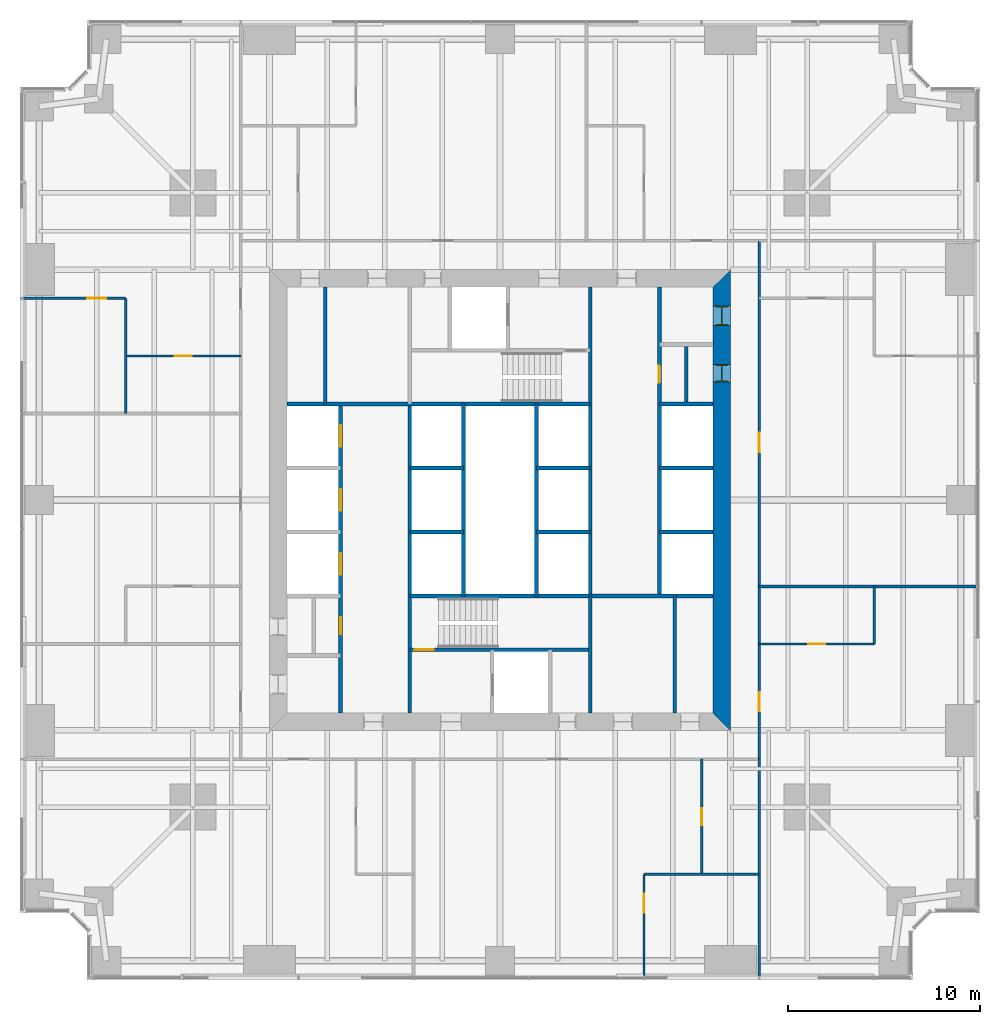
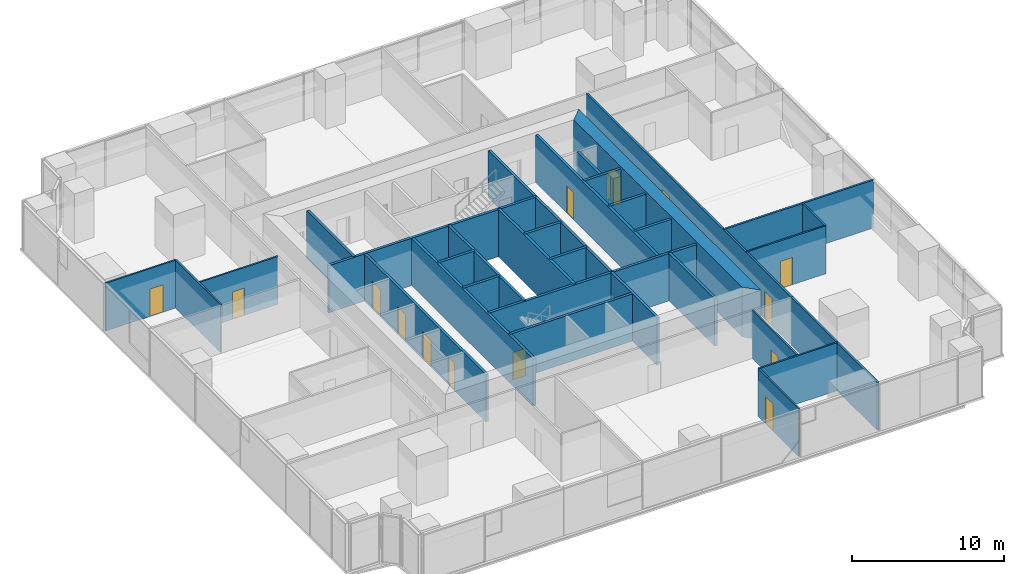
# One storey, part 10 of 15: 32 walls, 15 doors, 15 openings.
"""IFC4 building model written with IfcOpenShell, lengths in metres."""

from ifc_helpers import new_model, si_unit, direction, frame, frame_2d, origin, place, context, subcontext, project, spatial, polyline, rectangle, outline, extrude, material, layer, layer_set, type_object, element, fill, save


model = new_model("IFC4")

# Units and contexts
model_context = context("Model", 3, precision=1e-05, world=origin(), true_north=direction((0.0, 1.0)))
body_context = subcontext(model_context, "Body", "Model", "MODEL_VIEW")
ifc_project = project(units=[si_unit("LENGTHUNIT", "METRE"), si_unit("AREAUNIT", "SQUARE_METRE"), si_unit("VOLUMEUNIT", "CUBIC_METRE"), si_unit("PLANEANGLEUNIT", "RADIAN"), si_unit("MASSUNIT", "GRAM", prefix="KILO")], contexts=[model_context])

# Site, building, storey
site_placement = place(None, origin())
site = spatial("IfcSite", under=ifc_project, at=site_placement, CompositionType="ELEMENT")
building_placement = place(site_placement, origin())
building = spatial("IfcBuilding", under=site, at=building_placement, Name="Fenwick Lantern Interchange", CompositionType="ELEMENT")
storey_placement = place(building_placement, frame((0.0, 0.0, 51.0)))
storey = spatial("IfcBuildingStorey", under=building, at=storey_placement, Name="L11", CompositionType="ELEMENT", Elevation=51.0)

# Wall, openings, doors
ifc_material_1 = material(Name="Concrete masonry ASTM C90 Grade N", Category="masonry")
ifc_layer_1 = layer(ifc_material_1, 0.199951171875)
ifc_layer_set_1 = layer_set([ifc_layer_1], Name="Concrete masonry ASTM C90 Grade N")
wall_type_1 = type_object("IfcWallType", Name="CORE PARTITION 200", PredefinedType="PARTITIONING", material=ifc_layer_set_1)
wall_1_placement = place(storey_placement, frame((16.699951171875, 13.89990234375, 0.0), z_axis=(0.0, 0.0, 1.0), x_axis=(0.0, 1.0, 0.0)))
wall_1 = element("IfcWall", 1, at=wall_1_placement, inside=storey, type_object=wall_type_1, Name="L11/W/CORES/a", PredefinedType="PARTITIONING", context=body_context, shape_type="SweptSolid", body=[
    extrude(rectangle(XDim=16.10009765625, YDim=0.199951171875, at=frame_2d((8.050048828125, 0.0))), origin(), (0.0, 0.0, 1.0), 3.800048828125),
])
opening_1_placement = place(wall_1_placement, frame((4.10009765625, 0.0, 0.0)))
opening_1 = element("IfcOpeningElement", 2, at=opening_1_placement, cuts=wall_1, Name="Opening L11-D008", PredefinedType="OPENING", context=body_context, shape_type="SweptSolid", body=[
    extrude(rectangle(XDim=0.89990234375, YDim=2.199951171875, at=frame_2d((0.449951171875, 1.10009765625))), frame((0.0, 0.10986328125, 0.0), z_axis=(0.0, -1.0, 0.0), x_axis=(1.0, 0.0, 0.0)), (0.0, 0.0, 1.0), 0.219970703125),
])
opening_2_placement = place(wall_1_placement, frame((7.216552734375, 0.0, 0.0)))
opening_2 = element("IfcOpeningElement", 3, at=opening_2_placement, cuts=wall_1, Name="Opening LD-W1-1", PredefinedType="OPENING", context=body_context, shape_type="SweptSolid", body=[
    extrude(rectangle(XDim=1.10009765625, YDim=2.199951171875, at=frame_2d((0.550048828125, 1.10009765625))), frame((0.0, 0.10986328125, 0.0), z_axis=(0.0, -1.0, 0.0), x_axis=(1.0, 0.0, 0.0)), (0.0, 0.0, 1.0), 0.219970703125),
])
opening_3_placement = place(wall_1_placement, frame((10.550048828125, 0.0, 0.0)))
opening_3 = element("IfcOpeningElement", 4, at=opening_3_placement, cuts=wall_1, Name="Opening LD-W1-2", PredefinedType="OPENING", context=body_context, shape_type="SweptSolid", body=[
    extrude(rectangle(XDim=1.10009765625, YDim=2.199951171875, at=frame_2d((0.550048828125, 1.10009765625))), frame((0.0, 0.10986328125, 0.0), z_axis=(0.0, -1.0, 0.0), x_axis=(1.0, 0.0, 0.0)), (0.0, 0.0, 1.0), 0.219970703125),
])
opening_4_placement = place(wall_1_placement, frame((13.88330078125, 0.0, 0.0)))
opening_4 = element("IfcOpeningElement", 5, at=opening_4_placement, cuts=wall_1, Name="Opening LD-W1-3", PredefinedType="OPENING", context=body_context, shape_type="SweptSolid", body=[
    extrude(rectangle(XDim=1.10009765625, YDim=2.199951171875, at=frame_2d((0.550048828125, 1.10009765625))), frame((0.0, 0.10986328125, 0.0), z_axis=(0.0, -1.0, 0.0), x_axis=(1.0, 0.0, 0.0)), (0.0, 0.0, 1.0), 0.219970703125),
])
ifc_material_2 = material(Name="Steel door and frame", Category="steel")
door_type_1 = type_object("IfcDoorType", Name="LIFT LANDING DOOR 1100 X 2200", OperationType="DOUBLE_DOOR_SLIDING", PredefinedType="DOOR", material=ifc_material_2)
door_1_placement = place(opening_2_placement, origin())
door_1 = element("IfcDoor", 6, at=door_1_placement, inside=storey, type_object=door_type_1, Name="Lift landing door W1-1", OperationType="DOUBLE_DOOR_SLIDING", OverallHeight=2.199951171875, OverallWidth=1.10009765625, PredefinedType="DOOR", context=body_context, shape_type="SweptSolid", body=[
    extrude(rectangle(XDim=1.10009765625, YDim=2.199951171875, at=frame_2d((0.550048828125, 1.10009765625))), frame((0.0, 0.02490234375, 0.0), z_axis=(0.0, -1.0, 0.0), x_axis=(1.0, 0.0, 0.0)), (0.0, 0.0, 1.0), 0.050048828125),
])
fill(opening_2, door_1)
door_2_placement = place(opening_3_placement, origin())
door_2 = element("IfcDoor", 7, at=door_2_placement, inside=storey, type_object=door_type_1, Name="Lift landing door W1-2", OperationType="DOUBLE_DOOR_SLIDING", OverallHeight=2.199951171875, OverallWidth=1.10009765625, PredefinedType="DOOR", context=body_context, shape_type="SweptSolid", body=[
    extrude(rectangle(XDim=1.10009765625, YDim=2.199951171875, at=frame_2d((0.550048828125, 1.10009765625))), frame((0.0, 0.02490234375, 0.0), z_axis=(0.0, -1.0, 0.0), x_axis=(1.0, 0.0, 0.0)), (0.0, 0.0, 1.0), 0.050048828125),
])
fill(opening_3, door_2)
door_3_placement = place(opening_4_placement, origin())
door_3 = element("IfcDoor", 8, at=door_3_placement, inside=storey, type_object=door_type_1, Name="Lift landing door W1-3", OperationType="DOUBLE_DOOR_SLIDING", OverallHeight=2.199951171875, OverallWidth=1.10009765625, PredefinedType="DOOR", context=body_context, shape_type="SweptSolid", body=[
    extrude(rectangle(XDim=1.10009765625, YDim=2.199951171875, at=frame_2d((0.550048828125, 1.10009765625))), frame((0.0, 0.02490234375, 0.0), z_axis=(0.0, -1.0, 0.0), x_axis=(1.0, 0.0, 0.0)), (0.0, 0.0, 1.0), 0.050048828125),
])
fill(opening_4, door_3)
door_type_2 = type_object("IfcDoorType", Name="SERVICE DOOR 900 X 2200", OperationType="SINGLE_SWING_LEFT", PredefinedType="DOOR", material=ifc_material_2)
door_4_placement = place(opening_1_placement, origin())
door_4 = element("IfcDoor", 9, at=door_4_placement, inside=storey, type_object=door_type_2, Name="Service door", OperationType="SINGLE_SWING_LEFT", OverallHeight=2.199951171875, OverallWidth=0.89990234375, PredefinedType="DOOR", context=body_context, shape_type="SweptSolid", body=[
    extrude(rectangle(XDim=0.89990234375, YDim=2.199951171875, at=frame_2d((0.449951171875, 1.10009765625))), frame((0.0, 0.02490234375, 0.0), z_axis=(0.0, -1.0, 0.0), x_axis=(1.0, 0.0, 0.0)), (0.0, 0.0, 1.0), 0.050048828125),
])
fill(opening_1, door_4)

# Walls
for number, where, z_axis, x_axis, name in (
    (10, (20.300048828125, 23.333251953125, 0.0), (0.0, 0.0, 1.0), (1.0, 0.0, 0.0), "L11/W/CORES/e1"),
    (11, (20.300048828125, 26.666748046875, 0.0), (0.0, 0.0, 1.0), (1.0, 0.0, 0.0), "L11/W/CORES/e2"),
):
    element("IfcWall", number, at=place(storey_placement, frame(where, z_axis=z_axis, x_axis=x_axis)), inside=storey, type_object=wall_type_1, Name=name, PredefinedType="PARTITIONING", context=body_context, shape_type="SweptSolid", body=[
        extrude(rectangle(XDim=2.800048828125, YDim=0.199951171875, at=frame_2d((1.39990234375, 0.0))), origin(), (0.0, 0.0, 1.0), 3.800048828125),
    ])
wall_2_placement = place(storey_placement, frame((23.10009765625, 20.0, 0.0), z_axis=(0.0, 0.0, 1.0), x_axis=(0.0, 1.0, 0.0)))
element("IfcWall", 12, at=wall_2_placement, inside=storey, type_object=wall_type_1, Name="L11/W/CORES/e3", PredefinedType="PARTITIONING", context=body_context, shape_type="SweptSolid", body=[
    extrude(rectangle(XDim=10.0, YDim=0.199951171875, at=frame_2d((5.0, 0.0))), origin(), (0.0, 0.0, 1.0), 3.800048828125),
])
wall_3_placement = place(storey_placement, frame((34.10009765625, 13.89990234375, 0.0), z_axis=(0.0, 0.0, 1.0), x_axis=(0.0, 1.0, 0.0)))
element("IfcWall", 13, at=wall_3_placement, inside=storey, type_object=wall_type_1, Name="L11/W/CORES/i2", PredefinedType="PARTITIONING", context=body_context, shape_type="SweptSolid", body=[
    extrude(rectangle(XDim=6.10009765625, YDim=0.199951171875, at=frame_2d((3.050048828125, 0.0))), origin(), (0.0, 0.0, 1.0), 3.800048828125),
])

# Wall, opening, door
wall_4_placement = place(storey_placement, frame((33.300048828125, 36.10009765625, 0.0), z_axis=(0.0, 0.0, 1.0), x_axis=(0.0, -1.0, 0.0)))
wall_4 = element("IfcWall", 14, at=wall_4_placement, inside=storey, type_object=wall_type_1, Name="L11/W/COREN/a", PredefinedType="PARTITIONING", context=body_context, shape_type="SweptSolid", body=[
    extrude(rectangle(XDim=16.10009765625, YDim=0.199951171875, at=frame_2d((8.050048828125, 0.0))), origin(), (0.0, 0.0, 1.0), 3.800048828125),
])
opening_5_placement = place(wall_4_placement, frame((4.10009765625, 0.0, 0.0)))
opening_5 = element("IfcOpeningElement", 15, at=opening_5_placement, cuts=wall_4, Name="Opening L11-D017", PredefinedType="OPENING", context=body_context, shape_type="SweptSolid", body=[
    extrude(rectangle(XDim=0.89990234375, YDim=2.199951171875, at=frame_2d((0.449951171875, 1.10009765625))), frame((0.0, 0.10986328125, 0.0), z_axis=(0.0, -1.0, 0.0), x_axis=(1.0, 0.0, 0.0)), (0.0, 0.0, 1.0), 0.219970703125),
])
door_5_placement = place(opening_5_placement, origin())
door_5 = element("IfcDoor", 16, at=door_5_placement, inside=storey, type_object=door_type_2, Name="Service door", OperationType="SINGLE_SWING_LEFT", OverallHeight=2.199951171875, OverallWidth=0.89990234375, PredefinedType="DOOR", context=body_context, shape_type="SweptSolid", body=[
    extrude(rectangle(XDim=0.89990234375, YDim=2.199951171875, at=frame_2d((0.449951171875, 1.10009765625))), frame((0.0, 0.02490234375, 0.0), z_axis=(0.0, -1.0, 0.0), x_axis=(1.0, 0.0, 0.0)), (0.0, 0.0, 1.0), 0.050048828125),
])
fill(opening_5, door_5)

# Walls
for number, where, z_axis, x_axis, name in (
    (17, (36.10009765625, 30.0, 0.0), (0.0, 0.0, 1.0), (-1.0, 0.0, 0.0), "L11/W/COREN/c2"),
    (18, (36.10009765625, 26.666748046875, 0.0), (0.0, 0.0, 1.0), (-1.0, 0.0, 0.0), "L11/W/COREN/d1"),
    (19, (36.10009765625, 23.333251953125, 0.0), (0.0, 0.0, 1.0), (-1.0, 0.0, 0.0), "L11/W/COREN/d2"),
    (20, (29.699951171875, 26.666748046875, 0.0), (0.0, 0.0, 1.0), (-1.0, 0.0, 0.0), "L11/W/COREN/e1"),
    (21, (29.699951171875, 23.333251953125, 0.0), (0.0, 0.0, 1.0), (-1.0, 0.0, 0.0), "L11/W/COREN/e2"),
):
    element("IfcWall", number, at=place(storey_placement, frame(where, z_axis=z_axis, x_axis=x_axis)), inside=storey, type_object=wall_type_1, Name=name, PredefinedType="PARTITIONING", context=body_context, shape_type="SweptSolid", body=[
        extrude(rectangle(XDim=2.800048828125, YDim=0.199951171875, at=frame_2d((1.39990234375, 0.0))), origin(), (0.0, 0.0, 1.0), 3.800048828125),
    ])
wall_5_placement = place(storey_placement, frame((26.89990234375, 30.0, 0.0), z_axis=(0.0, 0.0, 1.0), x_axis=(0.0, -1.0, 0.0)))
element("IfcWall", 22, at=wall_5_placement, inside=storey, type_object=wall_type_1, Name="L11/W/COREN/e3", PredefinedType="PARTITIONING", context=body_context, shape_type="SweptSolid", body=[
    extrude(rectangle(XDim=10.0, YDim=0.199951171875, at=frame_2d((5.0, 0.0))), origin(), (0.0, 0.0, 1.0), 3.800048828125),
])
wall_6_placement = place(storey_placement, frame((15.89990234375, 36.10009765625, 0.0), z_axis=(0.0, 0.0, 1.0), x_axis=(0.0, -1.0, 0.0)))
element("IfcWall", 23, at=wall_6_placement, inside=storey, type_object=wall_type_1, Name="L11/W/COREN/i2", PredefinedType="PARTITIONING", context=body_context, shape_type="SweptSolid", body=[
    extrude(rectangle(XDim=6.10009765625, YDim=0.199951171875, at=frame_2d((3.050048828125, 0.0))), origin(), (0.0, 0.0, 1.0), 3.800048828125),
])
wall_7_placement = place(storey_placement, frame((34.699951171875, 33.10009765625, 0.0), z_axis=(0.0, 0.0, 1.0), x_axis=(0.0, -1.0, 0.0)))
element("IfcWall", 24, at=wall_7_placement, inside=storey, type_object=wall_type_1, Name="L11/W/COREN/px", PredefinedType="PARTITIONING", context=body_context, shape_type="SweptSolid", body=[
    extrude(rectangle(XDim=3.10009765625, YDim=0.199951171875, at=frame_2d((1.550048828125, 0.0))), origin(), (0.0, 0.0, 1.0), 3.800048828125),
])

# Wall, openings, doors
ifc_material_3 = material(Name="Concrete f'c 70 MPa", Category="concrete")
ifc_layer_2 = layer(ifc_material_3, 0.89990234375)
ifc_layer_set_2 = layer_set([ifc_layer_2], Name="CORE WALL 900")
wall_type_2 = type_object("IfcWallType", Name="CORE WALL 900", PredefinedType="SHEAR", material=ifc_layer_set_2)
wall_8_placement = place(storey_placement, frame((36.550048828125, 13.89990234375, 0.0), z_axis=(0.0, 0.0, 1.0), x_axis=(0.0, 1.0, 0.0)))
wall_8 = element("IfcWall", 25, at=wall_8_placement, inside=storey, type_object=wall_type_2, Name="L11/CORE/E", PredefinedType="SHEAR", context=body_context, shape_type="SweptSolid", body=[
    extrude(outline(polyline([(-0.89990234375, -0.449951171875), (23.10009765625, -0.449951171875), (22.199951171875, 0.449951171875), (0.0, 0.449951171875), (-0.89990234375, -0.449951171875)])), origin(), (0.0, 0.0, 1.0), 4.0),
])
opening_6_placement = place(wall_8_placement, frame((20.199951171875, 0.0, 0.0)))
opening_6 = element("IfcOpeningElement", 26, at=opening_6_placement, cuts=wall_8, Name="Opening L11-D016", PredefinedType="OPENING", context=body_context, shape_type="SweptSolid", body=[
    extrude(rectangle(XDim=1.0, YDim=2.199951171875, at=frame_2d((0.5, 1.10009765625))), frame((0.0, 0.4599609375, 0.0), z_axis=(0.0, -1.0, 0.0), x_axis=(1.0, 0.0, 0.0)), (0.0, 0.0, 1.0), 0.919921875),
])
opening_7_placement = place(wall_8_placement, frame((17.25, 0.0, 0.0)))
opening_7 = element("IfcOpeningElement", 27, at=opening_7_placement, cuts=wall_8, Name="Opening L11-D018", PredefinedType="OPENING", context=body_context, shape_type="SweptSolid", body=[
    extrude(rectangle(XDim=0.89990234375, YDim=2.199951171875, at=frame_2d((0.449951171875, 1.10009765625))), frame((0.0, 0.4599609375, 0.0), z_axis=(0.0, -1.0, 0.0), x_axis=(1.0, 0.0, 0.0)), (0.0, 0.0, 1.0), 0.919921875),
])
door_6_placement = place(opening_7_placement, origin())
door_6 = element("IfcDoor", 28, at=door_6_placement, inside=storey, type_object=door_type_2, Name="Service door", OperationType="SINGLE_SWING_RIGHT", OverallHeight=2.199951171875, OverallWidth=0.89990234375, PredefinedType="DOOR", context=body_context, shape_type="SweptSolid", body=[
    extrude(rectangle(XDim=0.89990234375, YDim=2.199951171875, at=frame_2d((0.449951171875, 1.10009765625))), frame((0.0, 0.02490234375, 0.0), z_axis=(0.0, -1.0, 0.0), x_axis=(1.0, 0.0, 0.0)), (0.0, 0.0, 1.0), 0.050048828125),
    extrude(outline(polyline([(0.0, 0.0), (0.0400390625, 0.0), (0.0400390625, 2.159912109375), (0.85986328125, 2.159912109375), (0.85986328125, 0.0), (0.89990234375, 0.0), (0.89990234375, 2.199951171875), (0.0, 2.199951171875), (0.0, 0.0)])), frame((0.0, 0.300048828125, 0.0), z_axis=(0.0, -1.0, 0.0), x_axis=(1.0, 0.0, 0.0)), (0.0, 0.0, 1.0), 0.60009765625),
])
fill(opening_7, door_6)
ifc_material_4 = material(Name="Hardwood door and steel frame", Category="steel")
door_type_3 = type_object("IfcDoorType", Name="WC DOOR 1000 X 2200", OperationType="SINGLE_SWING_LEFT", PredefinedType="DOOR", material=ifc_material_4)
door_7_placement = place(opening_6_placement, origin())
door_7 = element("IfcDoor", 29, at=door_7_placement, inside=storey, type_object=door_type_3, Name="Wc door", OperationType="SINGLE_SWING_LEFT", OverallHeight=2.199951171875, OverallWidth=1.0, PredefinedType="DOOR", context=body_context, shape_type="SweptSolid", body=[
    extrude(rectangle(XDim=1.0, YDim=2.199951171875, at=frame_2d((0.5, 1.10009765625))), frame((0.0, 0.02490234375, 0.0), z_axis=(0.0, -1.0, 0.0), x_axis=(1.0, 0.0, 0.0)), (0.0, 0.0, 1.0), 0.050048828125),
    extrude(outline(polyline([(0.0, 0.0), (0.0400390625, 0.0), (0.0400390625, 2.159912109375), (0.9599609375, 2.159912109375), (0.9599609375, 0.0), (1.0, 0.0), (1.0, 2.199951171875), (0.0, 2.199951171875), (0.0, 0.0)])), frame((0.0, 0.300048828125, 0.0), z_axis=(0.0, -1.0, 0.0), x_axis=(1.0, 0.0, 0.0)), (0.0, 0.0, 1.0), 0.60009765625),
])
fill(opening_6, door_7)

ifc_material_5 = material(Name="Gypsum board on steel studs, 1 hour", Category="steel")
ifc_layer_3 = layer(ifc_material_5, 0.14990234375)
ifc_layer_set_3 = layer_set([ifc_layer_3], Name="CORRIDOR WALL 150")
wall_type_3 = type_object("IfcWallType", Name="CORRIDOR WALL 150", PredefinedType="PARTITIONING", material=ifc_layer_set_3)
wall_9_placement = place(storey_placement, frame((38.5, 11.5, 0.0), z_axis=(0.0, 0.0, 1.0), x_axis=(0.0, 1.0, 0.0)))
wall_9 = element("IfcWall", 30, at=wall_9_placement, inside=storey, type_object=wall_type_3, Name="L11/W/OFF/E/CW", PredefinedType="PARTITIONING", context=body_context, shape_type="SweptSolid", body=[
    extrude(rectangle(XDim=27.0, YDim=0.14990234375, at=frame_2d((13.5, 0.0))), origin(), (0.0, 0.0, 1.0), 3.85009765625),
])
opening_8_placement = place(wall_9_placement, frame((2.5, 0.0, 0.0)))
opening_8 = element("IfcOpeningElement", 31, at=opening_8_placement, cuts=wall_9, Name="Opening L11-D024", PredefinedType="OPENING", context=body_context, shape_type="SweptSolid", body=[
    extrude(rectangle(XDim=1.0, YDim=2.199951171875, at=frame_2d((0.5, 1.10009765625))), frame((0.0, 0.0849609375, 0.0), z_axis=(0.0, -1.0, 0.0), x_axis=(1.0, 0.0, 0.0)), (0.0, 0.0, 1.0), 0.169921875),
])
opening_9_placement = place(wall_9_placement, frame((16.0, 0.0, 0.0)))
opening_9 = element("IfcOpeningElement", 32, at=opening_9_placement, cuts=wall_9, Name="Opening L11-D026", PredefinedType="OPENING", context=body_context, shape_type="SweptSolid", body=[
    extrude(rectangle(XDim=1.0, YDim=2.199951171875, at=frame_2d((0.5, 1.10009765625))), frame((0.0, 0.0849609375, 0.0), z_axis=(0.0, -1.0, 0.0), x_axis=(1.0, 0.0, 0.0)), (0.0, 0.0, 1.0), 0.169921875),
])
door_type_4 = type_object("IfcDoorType", Name="SUITE ENTRANCE DOOR 1000 X 2200", OperationType="SINGLE_SWING_LEFT", PredefinedType="DOOR", material=ifc_material_2)
door_8_placement = place(opening_8_placement, frame((1.0, 0.0, 0.0), z_axis=(0.0, 0.0, 1.0), x_axis=(-1.0, 0.0, 0.0)))
door_8 = element("IfcDoor", 33, at=door_8_placement, inside=storey, type_object=door_type_4, Name="Suite entrance door", OperationType="SINGLE_SWING_LEFT", OverallHeight=2.199951171875, OverallWidth=1.0, PredefinedType="DOOR", context=body_context, shape_type="SweptSolid", body=[
    extrude(rectangle(XDim=1.0, YDim=2.199951171875, at=frame_2d((0.5, 1.10009765625))), frame((0.0, 0.02490234375, 0.0), z_axis=(0.0, -1.0, 0.0), x_axis=(1.0, 0.0, 0.0)), (0.0, 0.0, 1.0), 0.050048828125),
])
fill(opening_8, door_8)
door_9_placement = place(opening_9_placement, frame((1.0, 0.0, 0.0), z_axis=(0.0, 0.0, 1.0), x_axis=(-1.0, 0.0, 0.0)))
door_9 = element("IfcDoor", 34, at=door_9_placement, inside=storey, type_object=door_type_4, Name="Suite entrance door", OperationType="SINGLE_SWING_RIGHT", OverallHeight=2.199951171875, OverallWidth=1.0, PredefinedType="DOOR", context=body_context, shape_type="SweptSolid", body=[
    extrude(rectangle(XDim=1.0, YDim=2.199951171875, at=frame_2d((0.5, 1.10009765625))), frame((0.0, 0.02490234375, 0.0), z_axis=(0.0, -1.0, 0.0), x_axis=(1.0, 0.0, 0.0)), (0.0, 0.0, 1.0), 0.050048828125),
])
fill(opening_9, door_9)

# Wall, opening, door
ifc_material_6 = material(Name="Gypsum board on steel studs, acoustic", Category="steel")
ifc_layer_4 = layer(ifc_material_6, 0.125)
ifc_layer_set_4 = layer_set([ifc_layer_4], Name="OFFICE PARTITION 125")
wall_type_4 = type_object("IfcWallType", Name="OFFICE PARTITION 125", PredefinedType="PARTITIONING", material=ifc_layer_set_4)
wall_10_placement = place(storey_placement, frame((32.5, 0.14990234375, 0.0), z_axis=(0.0, 0.0, 1.0), x_axis=(0.0, 1.0, 0.0)))
wall_10 = element("IfcWall", 35, at=wall_10_placement, inside=storey, type_object=wall_type_4, Name="L11/W/OFF/S/X325-1", PredefinedType="PARTITIONING", context=body_context, shape_type="SweptSolid", body=[
    extrude(rectangle(XDim=5.35009765625, YDim=0.125, at=frame_2d((2.675048828125, 0.0))), origin(), (0.0, 0.0, 1.0), 3.85009765625),
])
opening_10_placement = place(wall_10_placement, frame((3.35009765625, 0.0, 0.0)))
opening_10 = element("IfcOpeningElement", 36, at=opening_10_placement, cuts=wall_10, Name="Opening L11-D022", PredefinedType="OPENING", context=body_context, shape_type="SweptSolid", body=[
    extrude(rectangle(XDim=1.0, YDim=2.199951171875, at=frame_2d((0.5, 1.10009765625))), frame((0.0, 0.072509765625, 0.0), z_axis=(0.0, -1.0, 0.0), x_axis=(1.0, 0.0, 0.0)), (0.0, 0.0, 1.0), 0.14501953125),
])
door_type_5 = type_object("IfcDoorType", Name="MEETING ROOM DOOR 1000 X 2200", OperationType="SINGLE_SWING_LEFT", PredefinedType="DOOR", material=ifc_material_4)
door_10_placement = place(opening_10_placement, frame((1.0, 0.0, 0.0), z_axis=(0.0, 0.0, 1.0), x_axis=(-1.0, 0.0, 0.0)))
door_10 = element("IfcDoor", 37, at=door_10_placement, inside=storey, type_object=door_type_5, Name="Meeting room door", OperationType="SINGLE_SWING_LEFT", OverallHeight=2.199951171875, OverallWidth=1.0, PredefinedType="DOOR", context=body_context, shape_type="SweptSolid", body=[
    extrude(rectangle(XDim=1.0, YDim=2.199951171875, at=frame_2d((0.5, 1.10009765625))), frame((0.0, 0.02490234375, 0.0), z_axis=(0.0, -1.0, 0.0), x_axis=(1.0, 0.0, 0.0)), (0.0, 0.0, 1.0), 0.050048828125),
])
fill(opening_10, door_10)

wall_11_placement = place(storey_placement, frame((35.5, 5.5, 0.0), z_axis=(0.0, 0.0, 1.0), x_axis=(0.0, 1.0, 0.0)))
wall_11 = element("IfcWall", 38, at=wall_11_placement, inside=storey, type_object=wall_type_4, Name="L11/W/OFF/S/X355-1", PredefinedType="PARTITIONING", context=body_context, shape_type="SweptSolid", body=[
    extrude(rectangle(XDim=6.0, YDim=0.125, at=frame_2d((3.0, 0.0))), origin(), (0.0, 0.0, 1.0), 3.85009765625),
])
opening_11_placement = place(wall_11_placement, frame((2.550048828125, 0.0, 0.0)))
opening_11 = element("IfcOpeningElement", 39, at=opening_11_placement, cuts=wall_11, Name="Opening L11-D023", PredefinedType="OPENING", context=body_context, shape_type="SweptSolid", body=[
    extrude(rectangle(XDim=0.89990234375, YDim=2.199951171875, at=frame_2d((0.449951171875, 1.10009765625))), frame((0.0, 0.072509765625, 0.0), z_axis=(0.0, -1.0, 0.0), x_axis=(1.0, 0.0, 0.0)), (0.0, 0.0, 1.0), 0.14501953125),
])
door_type_6 = type_object("IfcDoorType", Name="OFFICE DOOR 900 X 2200", OperationType="SINGLE_SWING_LEFT", PredefinedType="DOOR", material=ifc_material_4)
door_11_placement = place(opening_11_placement, frame((0.89990234375, 0.0, 0.0), z_axis=(0.0, 0.0, 1.0), x_axis=(-1.0, 0.0, 0.0)))
door_11 = element("IfcDoor", 40, at=door_11_placement, inside=storey, type_object=door_type_6, Name="Office door", OperationType="SINGLE_SWING_RIGHT", OverallHeight=2.199951171875, OverallWidth=0.89990234375, PredefinedType="DOOR", context=body_context, shape_type="SweptSolid", body=[
    extrude(rectangle(XDim=0.89990234375, YDim=2.199951171875, at=frame_2d((0.449951171875, 1.10009765625))), frame((0.0, 0.02490234375, 0.0), z_axis=(0.0, -1.0, 0.0), x_axis=(1.0, 0.0, 0.0)), (0.0, 0.0, 1.0), 0.050048828125),
])
fill(opening_11, door_11)

# Wall
wall_12_placement = place(storey_placement, frame((32.5, 5.5, 0.0), z_axis=(0.0, 0.0, 1.0), x_axis=(1.0, 0.0, 0.0)))
element("IfcWall", 41, at=wall_12_placement, inside=storey, type_object=wall_type_4, Name="L11/W/OFF/S/Y55-2", PredefinedType="PARTITIONING", context=body_context, shape_type="SweptSolid", body=[
    extrude(rectangle(XDim=6.0, YDim=0.125, at=frame_2d((3.0, 0.0))), origin(), (0.0, 0.0, 1.0), 3.85009765625),
])

# Wall, opening, door
wall_13_placement = place(storey_placement, frame((44.5, 17.5, 0.0), z_axis=(0.0, 0.0, 1.0), x_axis=(-1.0, 0.0, 0.0)))
wall_13 = element("IfcWall", 42, at=wall_13_placement, inside=storey, type_object=wall_type_4, Name="L11/W/OFF/E/X175-1", PredefinedType="PARTITIONING", context=body_context, shape_type="SweptSolid", body=[
    extrude(rectangle(XDim=6.0, YDim=0.125, at=frame_2d((3.0, 0.0))), origin(), (0.0, 0.0, 1.0), 3.85009765625),
])
opening_12_placement = place(wall_13_placement, frame((2.550048828125, 0.0, 0.0)))
opening_12 = element("IfcOpeningElement", 43, at=opening_12_placement, cuts=wall_13, Name="Opening L11-D025", PredefinedType="OPENING", context=body_context, shape_type="SweptSolid", body=[
    extrude(rectangle(XDim=0.89990234375, YDim=2.199951171875, at=frame_2d((0.449951171875, 1.10009765625))), frame((0.0, 0.072509765625, 0.0), z_axis=(0.0, -1.0, 0.0), x_axis=(1.0, 0.0, 0.0)), (0.0, 0.0, 1.0), 0.14501953125),
])
door_12_placement = place(opening_12_placement, frame((0.89990234375, 0.0, 0.0), z_axis=(0.0, 0.0, 1.0), x_axis=(-1.0, 0.0, 0.0)))
door_12 = element("IfcDoor", 44, at=door_12_placement, inside=storey, type_object=door_type_6, Name="Office door", OperationType="SINGLE_SWING_RIGHT", OverallHeight=2.199951171875, OverallWidth=0.89990234375, PredefinedType="DOOR", context=body_context, shape_type="SweptSolid", body=[
    extrude(rectangle(XDim=0.89990234375, YDim=2.199951171875, at=frame_2d((0.449951171875, 1.10009765625))), frame((0.0, 0.02490234375, 0.0), z_axis=(0.0, -1.0, 0.0), x_axis=(1.0, 0.0, 0.0)), (0.0, 0.0, 1.0), 0.050048828125),
])
fill(opening_12, door_12)

# Wall
wall_14_placement = place(storey_placement, frame((44.5, 17.5, 0.0), z_axis=(0.0, 0.0, 1.0), x_axis=(0.0, 1.0, 0.0)))
element("IfcWall", 45, at=wall_14_placement, inside=storey, type_object=wall_type_4, Name="L11/W/OFF/E/Y55-1", PredefinedType="PARTITIONING", context=body_context, shape_type="SweptSolid", body=[
    extrude(rectangle(XDim=3.0, YDim=0.125, at=frame_2d((1.5, 0.0))), origin(), (0.0, 0.0, 1.0), 3.85009765625),
])

# Wall, opening, door
wall_15_placement = place(storey_placement, frame((0.14990234375, 35.5, 0.0), z_axis=(0.0, 0.0, 1.0), x_axis=(1.0, 0.0, 0.0)))
wall_15 = element("IfcWall", 46, at=wall_15_placement, inside=storey, type_object=wall_type_4, Name="L11/W/OFF/W/X145-1", PredefinedType="PARTITIONING", context=body_context, shape_type="SweptSolid", body=[
    extrude(rectangle(XDim=5.35009765625, YDim=0.125, at=frame_2d((2.675048828125, 0.0))), origin(), (0.0, 0.0, 1.0), 3.85009765625),
])
opening_13_placement = place(wall_15_placement, frame((3.35009765625, 0.0, 0.0)))
opening_13 = element("IfcOpeningElement", 47, at=opening_13_placement, cuts=wall_15, Name="Opening L11-D035", PredefinedType="OPENING", context=body_context, shape_type="SweptSolid", body=[
    extrude(rectangle(XDim=1.0, YDim=2.199951171875, at=frame_2d((0.5, 1.10009765625))), frame((0.0, 0.072509765625, 0.0), z_axis=(0.0, -1.0, 0.0), x_axis=(1.0, 0.0, 0.0)), (0.0, 0.0, 1.0), 0.14501953125),
])
door_13_placement = place(opening_13_placement, frame((1.0, 0.0, 0.0), z_axis=(0.0, 0.0, 1.0), x_axis=(-1.0, 0.0, 0.0)))
door_13 = element("IfcDoor", 48, at=door_13_placement, inside=storey, type_object=door_type_5, Name="Meeting room door", OperationType="SINGLE_SWING_LEFT", OverallHeight=2.199951171875, OverallWidth=1.0, PredefinedType="DOOR", context=body_context, shape_type="SweptSolid", body=[
    extrude(rectangle(XDim=1.0, YDim=2.199951171875, at=frame_2d((0.5, 1.10009765625))), frame((0.0, 0.02490234375, 0.0), z_axis=(0.0, -1.0, 0.0), x_axis=(1.0, 0.0, 0.0)), (0.0, 0.0, 1.0), 0.050048828125),
])
fill(opening_13, door_13)

wall_16_placement = place(storey_placement, frame((5.5, 32.5, 0.0), z_axis=(0.0, 0.0, 1.0), x_axis=(1.0, 0.0, 0.0)))
wall_16 = element("IfcWall", 49, at=wall_16_placement, inside=storey, type_object=wall_type_4, Name="L11/W/OFF/W/X175-1", PredefinedType="PARTITIONING", context=body_context, shape_type="SweptSolid", body=[
    extrude(rectangle(XDim=6.0, YDim=0.125, at=frame_2d((3.0, 0.0))), origin(), (0.0, 0.0, 1.0), 3.85009765625),
])
opening_14_placement = place(wall_16_placement, frame((2.550048828125, 0.0, 0.0)))
opening_14 = element("IfcOpeningElement", 50, at=opening_14_placement, cuts=wall_16, Name="Opening L11-D036", PredefinedType="OPENING", context=body_context, shape_type="SweptSolid", body=[
    extrude(rectangle(XDim=0.89990234375, YDim=2.199951171875, at=frame_2d((0.449951171875, 1.10009765625))), frame((0.0, 0.072509765625, 0.0), z_axis=(0.0, -1.0, 0.0), x_axis=(1.0, 0.0, 0.0)), (0.0, 0.0, 1.0), 0.14501953125),
])
door_14_placement = place(opening_14_placement, frame((0.89990234375, 0.0, 0.0), z_axis=(0.0, 0.0, 1.0), x_axis=(-1.0, 0.0, 0.0)))
door_14 = element("IfcDoor", 51, at=door_14_placement, inside=storey, type_object=door_type_6, Name="Office door", OperationType="SINGLE_SWING_RIGHT", OverallHeight=2.199951171875, OverallWidth=0.89990234375, PredefinedType="DOOR", context=body_context, shape_type="SweptSolid", body=[
    extrude(rectangle(XDim=0.89990234375, YDim=2.199951171875, at=frame_2d((0.449951171875, 1.10009765625))), frame((0.0, 0.02490234375, 0.0), z_axis=(0.0, -1.0, 0.0), x_axis=(1.0, 0.0, 0.0)), (0.0, 0.0, 1.0), 0.050048828125),
])
fill(opening_14, door_14)

# Walls
wall_17_placement = place(storey_placement, frame((5.5, 35.5, 0.0), z_axis=(0.0, 0.0, 1.0), x_axis=(0.0, -1.0, 0.0)))
element("IfcWall", 52, at=wall_17_placement, inside=storey, type_object=wall_type_4, Name="L11/W/OFF/W/Y55-1", PredefinedType="PARTITIONING", context=body_context, shape_type="SweptSolid", body=[
    extrude(rectangle(XDim=6.0, YDim=0.125, at=frame_2d((3.0, 0.0))), origin(), (0.0, 0.0, 1.0), 3.85009765625),
])
ifc_material_7 = material(Name="Concrete f'c 45 MPa", Category="concrete")
ifc_layer_5 = layer(ifc_material_7, 0.199951171875)
ifc_layer_set_5 = layer_set([ifc_layer_5], Name="STAIR CORE WALL 200")
wall_type_5 = type_object("IfcWallType", Name="STAIR CORE WALL 200", PredefinedType="SOLIDWALL", material=ifc_layer_set_5)
wall_18_placement = place(storey_placement, frame((20.300048828125, 13.89990234375, 0.0), z_axis=(0.0, 0.0, 1.0), x_axis=(0.0, 1.0, 0.0)))
element("IfcWall", 53, at=wall_18_placement, inside=storey, type_object=wall_type_5, Name="L11/W/CORES/b", PredefinedType="SOLIDWALL", context=body_context, shape_type="SweptSolid", body=[
    extrude(rectangle(XDim=16.10009765625, YDim=0.199951171875, at=frame_2d((8.050048828125, 0.0))), origin(), (0.0, 0.0, 1.0), 3.800048828125),
])

# Wall, opening, door
wall_19_placement = place(storey_placement, frame((20.300048828125, 17.199951171875, 0.0), z_axis=(0.0, 0.0, 1.0), x_axis=(1.0, 0.0, 0.0)))
wall_19 = element("IfcWall", 54, at=wall_19_placement, inside=storey, type_object=wall_type_5, Name="L11/W/CORES/g1", PredefinedType="SOLIDWALL", context=body_context, shape_type="SweptSolid", body=[
    extrude(rectangle(XDim=9.39990234375, YDim=0.199951171875, at=frame_2d((4.699951171875, 0.0))), origin(), (0.0, 0.0, 1.0), 3.800048828125),
])
opening_15_placement = place(wall_19_placement, frame((0.25, 0.0, 0.0)))
opening_15 = element("IfcOpeningElement", 55, at=opening_15_placement, cuts=wall_19, Name="Opening L11-D003", PredefinedType="OPENING", context=body_context, shape_type="SweptSolid", body=[
    extrude(rectangle(XDim=1.0, YDim=2.199951171875, at=frame_2d((0.5, 1.10009765625))), frame((0.0, 0.10986328125, 0.0), z_axis=(0.0, -1.0, 0.0), x_axis=(1.0, 0.0, 0.0)), (0.0, 0.0, 1.0), 0.219970703125),
])
door_type_7 = type_object("IfcDoorType", Name="STAIR DOOR 1000 X 2200", OperationType="SINGLE_SWING_LEFT", PredefinedType="DOOR", material=ifc_material_2)
door_15_placement = place(opening_15_placement, origin())
door_15 = element("IfcDoor", 56, at=door_15_placement, inside=storey, type_object=door_type_7, Name="Stair door", OperationType="SINGLE_SWING_LEFT", OverallHeight=2.199951171875, OverallWidth=1.0, PredefinedType="DOOR", context=body_context, shape_type="SweptSolid", body=[
    extrude(rectangle(XDim=1.0, YDim=2.199951171875, at=frame_2d((0.5, 1.10009765625))), frame((0.0, 0.02490234375, 0.0), z_axis=(0.0, -1.0, 0.0), x_axis=(1.0, 0.0, 0.0)), (0.0, 0.0, 1.0), 0.050048828125),
])
fill(opening_15, door_15)

# Walls
wall_20_placement = place(storey_placement, frame((20.300048828125, 20.0, 0.0), z_axis=(0.0, 0.0, 1.0), x_axis=(1.0, 0.0, 0.0)))
element("IfcWall", 57, at=wall_20_placement, inside=storey, type_object=wall_type_5, Name="L11/W/CORES/g2", PredefinedType="SOLIDWALL", context=body_context, shape_type="SweptSolid", body=[
    extrude(rectangle(XDim=15.800048828125, YDim=0.199951171875, at=frame_2d((7.89990234375, 0.0))), origin(), (0.0, 0.0, 1.0), 3.800048828125),
])
wall_21_placement = place(storey_placement, frame((29.699951171875, 13.89990234375, 0.0), z_axis=(0.0, 0.0, 1.0), x_axis=(0.0, 1.0, 0.0)))
element("IfcWall", 58, at=wall_21_placement, inside=storey, type_object=wall_type_5, Name="L11/W/CORES/i1", PredefinedType="SOLIDWALL", context=body_context, shape_type="SweptSolid", body=[
    extrude(rectangle(XDim=6.10009765625, YDim=0.199951171875, at=frame_2d((3.050048828125, 0.0))), origin(), (0.0, 0.0, 1.0), 3.800048828125),
])
wall_22_placement = place(storey_placement, frame((29.699951171875, 36.10009765625, 0.0), z_axis=(0.0, 0.0, 1.0), x_axis=(0.0, -1.0, 0.0)))
element("IfcWall", 59, at=wall_22_placement, inside=storey, type_object=wall_type_5, Name="L11/W/COREN/b", PredefinedType="SOLIDWALL", context=body_context, shape_type="SweptSolid", body=[
    extrude(rectangle(XDim=16.10009765625, YDim=0.199951171875, at=frame_2d((8.050048828125, 0.0))), origin(), (0.0, 0.0, 1.0), 3.800048828125),
])
wall_23_placement = place(storey_placement, frame((29.699951171875, 30.0, 0.0), z_axis=(0.0, 0.0, 1.0), x_axis=(-1.0, 0.0, 0.0)))
element("IfcWall", 60, at=wall_23_placement, inside=storey, type_object=wall_type_5, Name="L11/W/COREN/g2", PredefinedType="SOLIDWALL", context=body_context, shape_type="SweptSolid", body=[
    extrude(rectangle(XDim=15.800048828125, YDim=0.199951171875, at=frame_2d((7.89990234375, 0.0))), origin(), (0.0, 0.0, 1.0), 3.800048828125),
])
ifc_material_8 = material(Name="Gypsum board on steel studs, 1 hour acoustic", Category="steel")
ifc_layer_6 = layer(ifc_material_8, 0.14990234375)
ifc_layer_set_6 = layer_set([ifc_layer_6], Name="TENANT WALL 150")
wall_type_6 = type_object("IfcWallType", Name="TENANT WALL 150", PredefinedType="PARTITIONING", material=ifc_layer_set_6)
for number, where, z_axis, x_axis, name in (
    (61, (38.5, 0.14990234375, 0.0), (0.0, 0.0, 1.0), (0.0, 1.0, 0.0), "L11/W/OFF/E/BACK"),
    (62, (49.85009765625, 20.5, 0.0), (0.0, 0.0, 1.0), (-1.0, 0.0, 0.0), "L11/W/OFF/E/X205-1"),
):
    element("IfcWall", number, at=place(storey_placement, frame(where, z_axis=z_axis, x_axis=x_axis)), inside=storey, type_object=wall_type_6, Name=name, PredefinedType="PARTITIONING", context=body_context, shape_type="SweptSolid", body=[
        extrude(rectangle(XDim=11.35009765625, YDim=0.14990234375, at=frame_2d((5.675048828125, 0.0))), origin(), (0.0, 0.0, 1.0), 3.85009765625),
    ])

save(model, "model.ifc")
